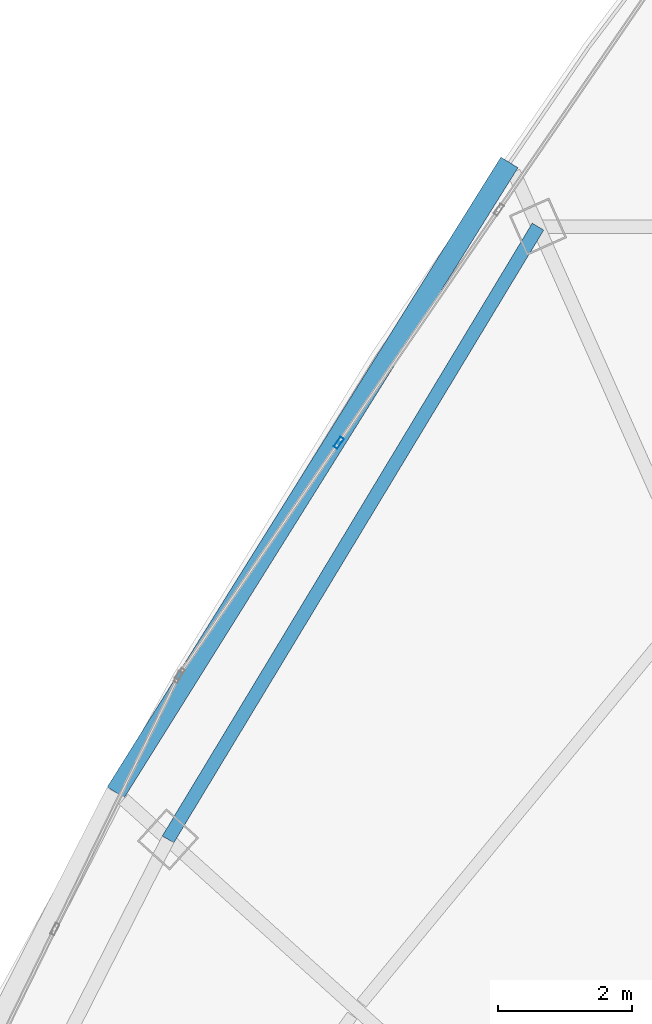
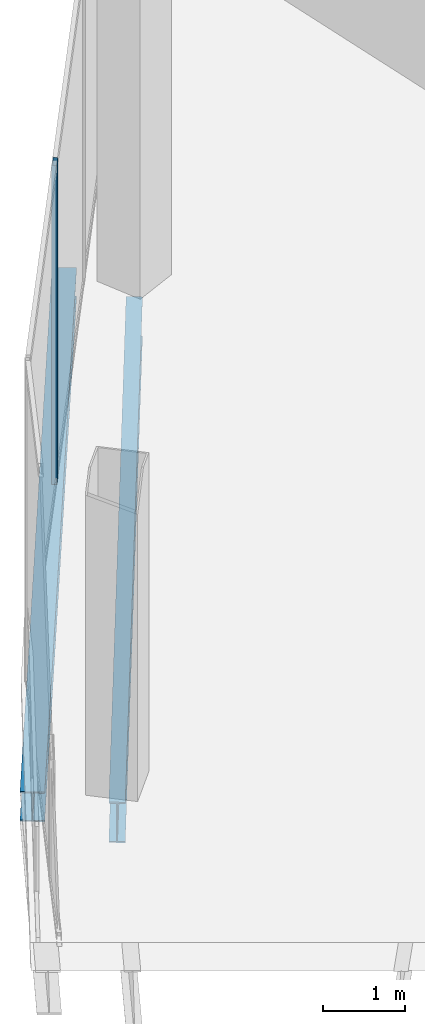
# One storey, part 12 of 33: 2 beams, 1 member, 1 element without a shape of its own.
"""IFC4 building model written with IfcOpenShell, lengths in metres."""

from ifc_helpers import new_model, si_unit, direction, frame, origin, origin_2d, place, context, subcontext, project, spatial, hollow_rectangle, i_section, extrude, source, transform, mapped, material, layer, layer_set, material_profile, profile_set, type_object, element, aggregate, save


model = new_model("IFC4")

# Units and contexts
model_context = context("Model", 3, precision=1e-05, world=origin(), true_north=direction((0.0, 1.0)))
body_context = subcontext(model_context, "Body", "Model", "MODEL_VIEW")
ifc_project = project(units=[si_unit("LENGTHUNIT", "METRE"), si_unit("AREAUNIT", "SQUARE_METRE"), si_unit("VOLUMEUNIT", "CUBIC_METRE"), si_unit("PLANEANGLEUNIT", "RADIAN"), si_unit("MASSUNIT", "GRAM", prefix="KILO"), si_unit("THERMODYNAMICTEMPERATUREUNIT", "KELVIN"), si_unit("POWERUNIT", "WATT")], contexts=[model_context])

# Site, building, storey
site_placement = place(None, origin())
site = spatial("IfcSite", under=ifc_project, at=site_placement, CompositionType="ELEMENT")
building_placement = place(site_placement, origin())
building = spatial("IfcBuilding", under=site, at=building_placement, Name="Yunzhuo Pagoda Commons", CompositionType="ELEMENT")
storey_placement = place(building_placement, frame((0.0, 0.0, 391.760009765625)))
storey = spatial("IfcBuildingStorey", under=building, at=storey_placement, Name="L97", CompositionType="ELEMENT", Elevation=391.760009765625)

# Beams
ifc_material_1 = material(Name="Structural steel Q355B", Category="steel")
ifc_material_profile_1 = material_profile(ifc_material_1, i_section(OverallWidth=0.199951171875, OverallDepth=0.60009765625, WebThickness=0.010986328125, FlangeThickness=0.01708984375, at=origin_2d()), Name="Structural steel Q355B")
ifc_profile_set_1 = profile_set([ifc_material_profile_1], Name="Structural steel Q355B")
beam_type_1 = type_object("IfcBeamType", Name="B-RG3 Beam HN 600x200x11x17", PredefinedType="BEAM", material=ifc_profile_set_1)
shared_shape_1 = source(origin(), body_context, "Body", "SweptSolid", [
    extrude(i_section(OverallWidth=0.199951171875, OverallDepth=0.60009765625, WebThickness=0.010986328125, FlangeThickness=0.01708984375, at=origin_2d()), origin(), (0.0, 0.0, 1.0), 10.691162109375),
])
beam_1_placement = place(storey_placement, frame((37.501220703125, 57.281005859375, -0.580078125), z_axis=(-0.516864678433, -0.856067114301, 0.0), x_axis=(0.856067114301, -0.516864678433, 0.0)))
element("IfcBeam", 1, at=beam_1_placement, inside=storey, type_object=beam_type_1, Name="L97 column-ring beam 9", PredefinedType="BEAM", context=body_context, shape_type="MappedRepresentation", body=[
    mapped(shared_shape_1, transform((0.0, 0.0, 0.0), scale=1.0)),
])
ifc_material_profile_2 = material_profile(ifc_material_1, i_section(OverallWidth=0.300048828125, OverallDepth=0.43994140625, WebThickness=0.010986328125, FlangeThickness=0.01806640625, at=origin_2d()), Name="Structural steel Q355B")
ifc_profile_set_2 = profile_set([ifc_material_profile_2], Name="Structural steel Q355B")
beam_type_2 = type_object("IfcBeamType", Name="B-SP2 Beam HM 440x300x11x18", PredefinedType="BEAM", material=ifc_profile_set_2)
shared_shape_2 = source(origin(), body_context, "Body", "SweptSolid", [
    extrude(i_section(OverallWidth=0.300048828125, OverallDepth=0.43994140625, WebThickness=0.010986328125, FlangeThickness=0.01806640625, at=origin_2d()), origin(), (0.0, 0.0, 1.0), 11.094482421875),
])
beam_2_placement = place(storey_placement, frame((37.07421875, 58.239990234375, -0.5), z_axis=(-0.529915860294, -0.848050223164, 0.0), x_axis=(0.848050223164, -0.529915860294, 0.0)))
element("IfcBeam", 2, at=beam_2_placement, inside=storey, type_object=beam_type_2, Name="L97 facade edge spandrel beam F3.1", PredefinedType="BEAM", context=body_context, shape_type="MappedRepresentation", body=[
    mapped(shared_shape_2, transform((0.0, 0.0, 0.0), scale=1.0)),
])

# Curtain wall, member
ifc_material_2 = material(Name="Anodized aluminium 6063-T6", Category="aluminium")
ifc_layer = layer(ifc_material_2, 0.179931640625)
ifc_layer_set = layer_set([ifc_layer], Name="Anodized aluminium 6063-T6")
curtain_wall_type = type_object("IfcCurtainWallType", Name="CW-CRN Crown Gable Glazing System", PredefinedType="NOTDEFINED", material=ifc_layer_set)
curtain_wall_placement = place(storey_placement, origin())
curtain_wall = element("IfcCurtainWall", 3, at=curtain_wall_placement, inside=storey, type_object=curtain_wall_type, Name="L97 curtain wall CW-L97-CRNF3G1", PredefinedType="NOTDEFINED")
ifc_material_profile_3 = material_profile(ifc_material_2, hollow_rectangle(XDim=0.06494140625, YDim=0.179931640625, WallThickness=0.00390625, at=origin_2d()), Name="Anodized aluminium 6063-T6")
ifc_profile_set_3 = profile_set([ifc_material_profile_3], Name="Anodized aluminium 6063-T6")
member_type = type_object("IfcMemberType", Name="CW-CRN-M Mullion RHS 180x65x4", PredefinedType="MULLION", material=ifc_profile_set_3)
shared_shape_3 = source(origin(), body_context, "Body", "SweptSolid", [
    extrude(hollow_rectangle(XDim=0.06494140625, YDim=0.179931640625, WallThickness=0.00390625, at=origin_2d()), origin(), (0.0, 0.0, 1.0), 4.72021484375),
])
member_placement = place(storey_placement, frame((34.525390625, 54.05322265625, 0.0), z_axis=(0.0, 0.0, 1.0), x_axis=(0.824296116005, -0.566158911561, 0.0)))
member = element("IfcMember", 4, at=member_placement, type_object=member_type, Name="CW mullion 4", PredefinedType="MULLION", context=body_context, shape_type="MappedRepresentation", body=[
    mapped(shared_shape_3, transform((0.0, 0.0, 0.0), scale=1.0)),
])
aggregate(curtain_wall, [member])

save(model, "model.ifc")
